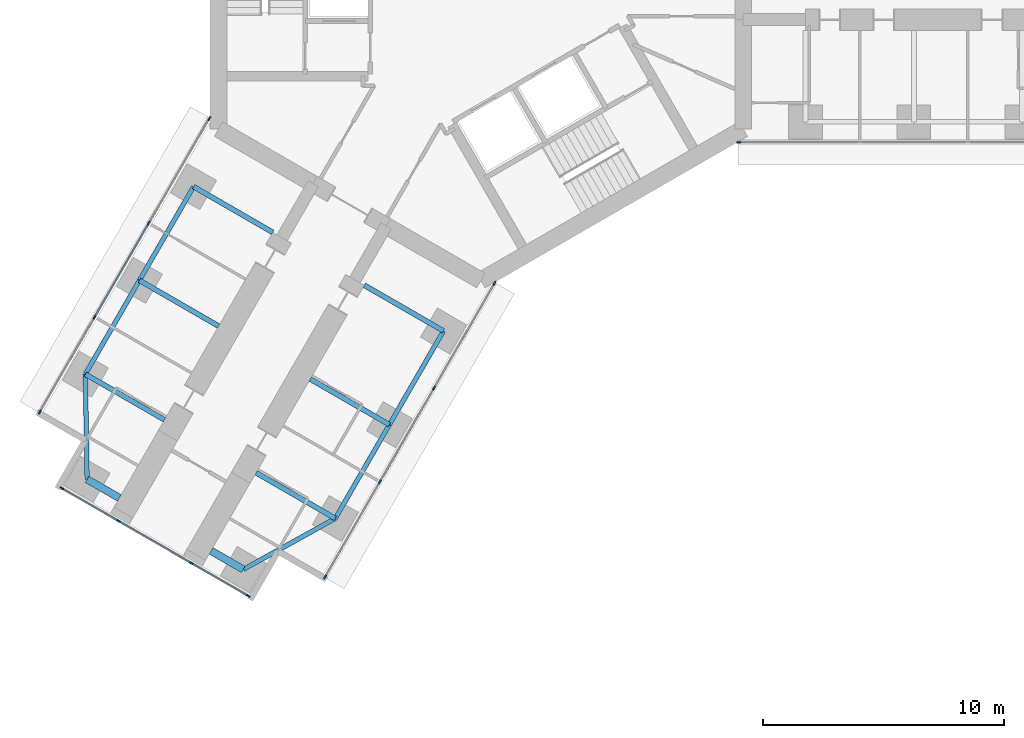
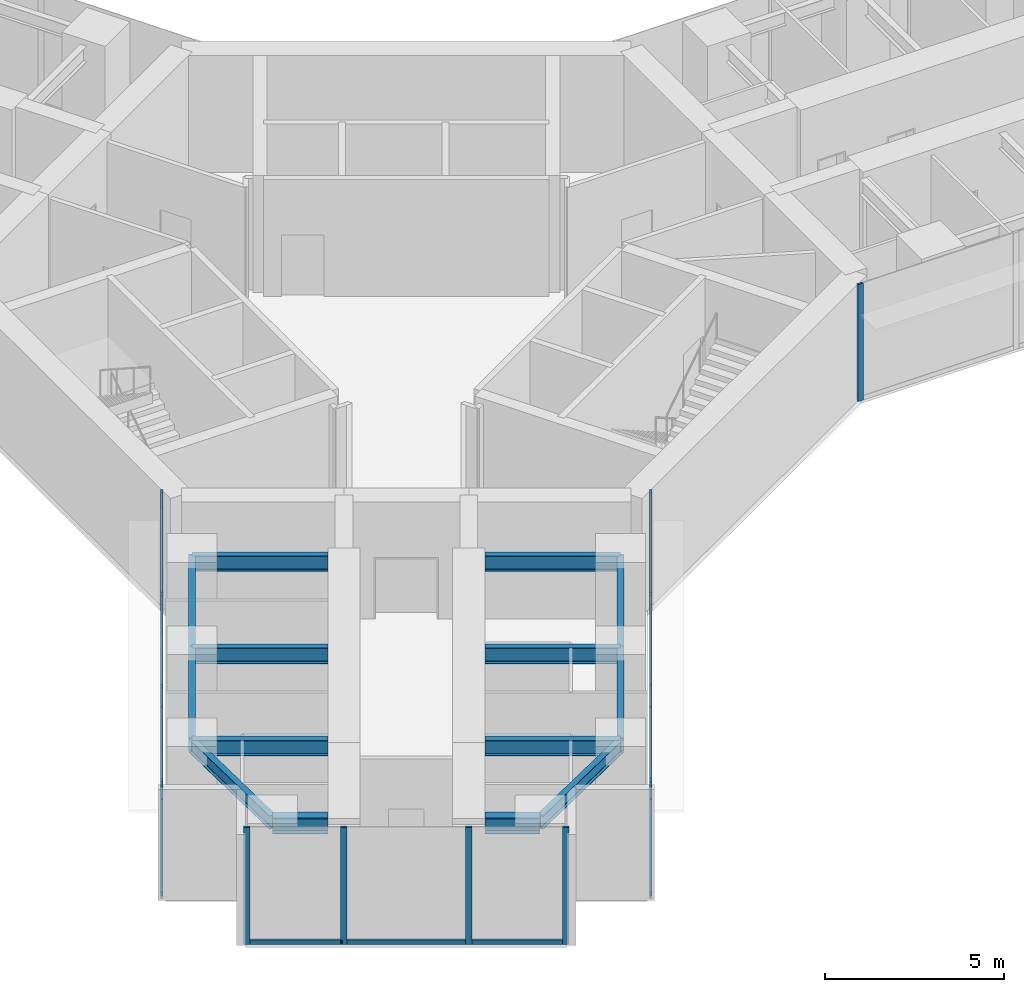
# One storey, part 2 of 25: 22 members, 14 beams, 4 elements without a shape of their own.
"""IFC4 building model written with IfcOpenShell, lengths in metres."""

from ifc_helpers import new_model, si_unit, direction, frame, origin, origin_2d, place, context, subcontext, project, spatial, rectangle, i_section, extrude, material, material_profile, profile_set, type_object, element, aggregate, save


model = new_model("IFC4")

# Units and contexts
model_context = context("Model", 3, precision=1e-05, world=origin(), true_north=direction((0.0, 1.0)))
body_context = subcontext(model_context, "Body", "Model", "MODEL_VIEW")
ifc_project = project(units=[si_unit("LENGTHUNIT", "METRE"), si_unit("AREAUNIT", "SQUARE_METRE"), si_unit("VOLUMEUNIT", "CUBIC_METRE"), si_unit("PLANEANGLEUNIT", "RADIAN"), si_unit("MASSUNIT", "GRAM", prefix="KILO")], contexts=[model_context])

# Site, building, storey
site_placement = place(None, origin())
site = spatial("IfcSite", under=ifc_project, at=site_placement, CompositionType="ELEMENT")
building_placement = place(site_placement, origin())
building = spatial("IfcBuilding", under=site, at=building_placement, Name="Upepo Twin Towers", CompositionType="ELEMENT")
storey_placement = place(building_placement, frame((0.0, 0.0, 80.5)))
storey = spatial("IfcBuildingStorey", under=building, at=storey_placement, Name="L19", CompositionType="ELEMENT", Elevation=80.5)

# Beams
ifc_material_1 = material(Name="Steel S355", Category="steel")
ifc_material_profile_1 = material_profile(ifc_material_1, i_section(OverallWidth=0.1904296875, OverallDepth=0.45703125, WebThickness=0.009033203125, FlangeThickness=0.014404296875, FilletRadius=0.01025390625, at=origin_2d()), Name="UB 457x191x74")
ifc_profile_set_1 = profile_set([ifc_material_profile_1], Name="Steel S355")
beam_type_1 = type_object("IfcBeamType", Name="Beam UB 457x191x74", PredefinedType="BEAM", material=ifc_profile_set_1)
beam_1_placement = place(storey_placement, frame((-1.553955078125, -14.69140625, 3.571533203125), z_axis=(-0.500013631625, -0.866017533419, 0.0), x_axis=(0.866017533419, -0.500013631625, 0.0)))
element("IfcBeam", 1, at=beam_1_placement, inside=storey, type_object=beam_type_1, Name="T1 edge beam CL 13.5-18.0", PredefinedType="BEAM", context=body_context, shape_type="SweptSolid", body=[
    extrude(i_section(OverallWidth=0.1904296875, OverallDepth=0.45703125, WebThickness=0.009033203125, FlangeThickness=0.014404296875, FilletRadius=0.01025390625, at=origin_2d()), origin(), (0.0, 0.0, 1.0), 4.499755859375),
])
beam_2_placement = place(storey_placement, frame((-3.803955078125, -18.58837890625, 3.571533203125), z_axis=(-0.499990139034, -0.866031096941, 0.0), x_axis=(0.866031096941, -0.499990139034, 0.0)))
element("IfcBeam", 2, at=beam_2_placement, inside=storey, type_object=beam_type_1, Name="T1 edge beam CL 18.0-22.5", PredefinedType="BEAM", context=body_context, shape_type="SweptSolid", body=[
    extrude(i_section(OverallWidth=0.1904296875, OverallDepth=0.45703125, WebThickness=0.009033203125, FlangeThickness=0.014404296875, FilletRadius=0.01025390625, at=origin_2d()), origin(), (0.0, 0.0, 1.0), 4.5),
])
beam_3_placement = place(storey_placement, frame((-6.053955078125, -22.485595703125, 3.571533203125), z_axis=(-0.874312600038, -0.485363242752, 0.0), x_axis=(0.485363242752, -0.874312600038, 0.0)))
element("IfcBeam", 3, at=beam_3_placement, inside=storey, type_object=beam_type_1, Name="T1 nose edge beam CL", PredefinedType="BEAM", context=body_context, shape_type="SweptSolid", body=[
    extrude(i_section(OverallWidth=0.1904296875, OverallDepth=0.45703125, WebThickness=0.009033203125, FlangeThickness=0.014404296875, FilletRadius=0.01025390625, at=origin_2d()), origin(), (0.0, 0.0, 1.0), 4.373046875),
])
beam_4_placement = place(storey_placement, frame((-11.946044921875, -8.69140625, 3.571533203125), z_axis=(-0.500013631625, -0.866017533419, 0.0), x_axis=(0.866017533419, -0.500013631625, 0.0)))
element("IfcBeam", 4, at=beam_4_placement, inside=storey, type_object=beam_type_1, Name="T1 edge beam CR 13.5-18.0", PredefinedType="BEAM", context=body_context, shape_type="SweptSolid", body=[
    extrude(i_section(OverallWidth=0.1904296875, OverallDepth=0.45703125, WebThickness=0.009033203125, FlangeThickness=0.014404296875, FilletRadius=0.01025390625, at=origin_2d()), origin(), (0.0, 0.0, 1.0), 4.499755859375),
])
beam_5_placement = place(storey_placement, frame((-14.196044921875, -12.58837890625, 3.571533203125), z_axis=(-0.499990139034, -0.866031096941, 0.0), x_axis=(0.866031096941, -0.499990139034, 0.0)))
element("IfcBeam", 5, at=beam_5_placement, inside=storey, type_object=beam_type_1, Name="T1 edge beam CR 18.0-22.5", PredefinedType="BEAM", context=body_context, shape_type="SweptSolid", body=[
    extrude(i_section(OverallWidth=0.1904296875, OverallDepth=0.45703125, WebThickness=0.009033203125, FlangeThickness=0.014404296875, FilletRadius=0.01025390625, at=origin_2d()), origin(), (0.0, 0.0, 1.0), 4.5),
])
beam_6_placement = place(storey_placement, frame((-16.446044921875, -16.485595703125, 3.571533203125), z_axis=(0.016803880528, -0.999858804832, 0.0), x_axis=(0.999858804832, 0.016803880528, 0.0)))
element("IfcBeam", 6, at=beam_6_placement, inside=storey, type_object=beam_type_1, Name="T1 nose edge beam CR", PredefinedType="BEAM", context=body_context, shape_type="SweptSolid", body=[
    extrude(i_section(OverallWidth=0.1904296875, OverallDepth=0.45703125, WebThickness=0.009033203125, FlangeThickness=0.014404296875, FilletRadius=0.01025390625, at=origin_2d()), origin(), (0.0, 0.0, 1.0), 4.373291015625),
])
ifc_material_2 = material(Name="Steel S355", Category="steel")
ifc_material_profile_2 = material_profile(ifc_material_2, i_section(OverallWidth=0.209228515625, OverallDepth=0.533203125, WebThickness=0.010009765625, FlangeThickness=0.015625, FilletRadius=0.0126953125, at=origin_2d()), Name="UB 533x210x92")
ifc_profile_set_2 = profile_set([ifc_material_profile_2], Name="Steel S355")
beam_type_2 = type_object("IfcBeamType", Name="Beam UB 533x210x92", PredefinedType="BEAM", material=ifc_profile_set_2)
beam_7_placement = place(storey_placement, frame((-1.553955078125, -14.69140625, 3.533447265625), z_axis=(-0.866000483506, 0.500043160704, 0.0), x_axis=(-0.500043160704, -0.866000483506, 0.0)))
element("IfcBeam", 7, at=beam_7_placement, inside=storey, type_object=beam_type_2, Name="T1 girder CL at 13.5", PredefinedType="BEAM", context=body_context, shape_type="SweptSolid", body=[
    extrude(i_section(OverallWidth=0.209228515625, OverallDepth=0.533203125, WebThickness=0.010009765625, FlangeThickness=0.015625, FilletRadius=0.0126953125, at=origin_2d()), origin(), (0.0, 0.0, 1.0), 3.800048828125),
])
for number, where, z_axis, x_axis, name in (
    (8, (-3.803955078125, -18.58837890625, 3.533447265625), (-0.866028304915, 0.499994975061, 0.0), (-0.499994975061, -0.866028304915, 0.0), "T1 girder CL at 18.0"),
    (9, (-6.053955078125, -22.485595703125, 3.533447265625), (-0.866028304915, 0.499994975061, 0.0), (-0.499994975061, -0.866028304915, 0.0), "T1 girder CL at 22.5"),
    (10, (-11.946044921875, -8.69140625, 3.533447265625), (0.866028304915, -0.499994975061, 0.0), (0.499994975061, 0.866028304915, 0.0), "T1 girder CR at 13.5"),
):
    element("IfcBeam", number, at=place(storey_placement, frame(where, z_axis=z_axis, x_axis=x_axis)), inside=storey, type_object=beam_type_2, Name=name, PredefinedType="BEAM", context=body_context, shape_type="SweptSolid", body=[
        extrude(i_section(OverallWidth=0.209228515625, OverallDepth=0.533203125, WebThickness=0.010009765625, FlangeThickness=0.015625, FilletRadius=0.0126953125, at=origin_2d()), origin(), (0.0, 0.0, 1.0), 3.7998046875),
    ])
beam_8_placement = place(storey_placement, frame((-14.196044921875, -12.58837890625, 3.533447265625), z_axis=(0.866000483506, -0.500043160704, 0.0), x_axis=(0.500043160704, 0.866000483506, 0.0)))
element("IfcBeam", 11, at=beam_8_placement, inside=storey, type_object=beam_type_2, Name="T1 girder CR at 18.0", PredefinedType="BEAM", context=body_context, shape_type="SweptSolid", body=[
    extrude(i_section(OverallWidth=0.209228515625, OverallDepth=0.533203125, WebThickness=0.010009765625, FlangeThickness=0.015625, FilletRadius=0.0126953125, at=origin_2d()), origin(), (0.0, 0.0, 1.0), 3.800048828125),
])
beam_9_placement = place(storey_placement, frame((-16.446044921875, -16.485595703125, 3.533447265625), z_axis=(0.866028304915, -0.499994975061, 0.0), x_axis=(0.499994975061, 0.866028304915, 0.0)))
element("IfcBeam", 12, at=beam_9_placement, inside=storey, type_object=beam_type_2, Name="T1 girder CR at 22.5", PredefinedType="BEAM", context=body_context, shape_type="SweptSolid", body=[
    extrude(i_section(OverallWidth=0.209228515625, OverallDepth=0.533203125, WebThickness=0.010009765625, FlangeThickness=0.015625, FilletRadius=0.0126953125, at=origin_2d()), origin(), (0.0, 0.0, 1.0), 3.7998046875),
])
ifc_material_3 = material(Name="Steel S355", Category="steel")
ifc_material_profile_3 = material_profile(ifc_material_3, i_section(OverallWidth=0.31201171875, OverallDepth=0.54345703125, WebThickness=0.0126953125, FlangeThickness=0.020263671875, FilletRadius=0.0126953125, at=origin_2d()), Name="UB 533x312x150")
ifc_profile_set_3 = profile_set([ifc_material_profile_3], Name="Steel S355")
beam_type_3 = type_object("IfcBeamType", Name="Beam UB 533x312x150", PredefinedType="BEAM", material=ifc_profile_set_3)
for number, where, z_axis, x_axis, name in (
    (13, (-9.87744140625, -24.608154296875, 3.5283203125), (-0.866043940782, 0.499967891604, 0.0), (-0.499967891604, -0.866043940782, 0.0), "T1 nose beam CL"),
    (14, (-16.37255859375, -20.858154296875, 3.5283203125), (0.866043940782, -0.499967891604, 0.0), (0.499967891604, 0.866043940782, 0.0), "T1 nose beam CR"),
):
    element("IfcBeam", number, at=place(storey_placement, frame(where, z_axis=z_axis, x_axis=x_axis)), inside=storey, type_object=beam_type_3, Name=name, PredefinedType="BEAM", context=body_context, shape_type="SweptSolid", body=[
        extrude(i_section(OverallWidth=0.31201171875, OverallDepth=0.54345703125, WebThickness=0.0126953125, FlangeThickness=0.020263671875, FilletRadius=0.0126953125, at=origin_2d()), origin(), (0.0, 0.0, 1.0), 1.5498046875),
    ])

# Curtain wall, member
ifc_material_4 = material(Name="Aluminium and fritted glass", Category="aluminium")
curtain_wall_type = type_object("IfcCurtainWallType", Name="Tower curtain wall TW1, fritted glass", PredefinedType="NOTDEFINED", material=ifc_material_4)
curtain_wall_1_placement = place(storey_placement, origin())
curtain_wall_1 = element("IfcCurtainWall", 15, at=curtain_wall_1_placement, inside=storey, type_object=curtain_wall_type, Name="T1 L19 wing A flank R curtain wall", PredefinedType="NOTDEFINED")
ifc_material_5 = material(Name="Aluminium mullion", Category="aluminium")
ifc_material_profile_4 = material_profile(ifc_material_5, rectangle(XDim=0.06494140625, YDim=0.179931640625, at=origin_2d()), Name="MULLION 65x180")
ifc_profile_set_4 = profile_set([ifc_material_profile_4], Name="Aluminium mullion")
member_type_1 = type_object("IfcMemberType", Name="Mullion 65x180 TW1", PredefinedType="MULLION", material=ifc_profile_set_4)
member_1_placement = place(storey_placement, frame((10.7197265625, -6.85009765625, 0.0), z_axis=(0.0, 0.0, 1.0), x_axis=(0.0, -1.0, 0.0)))
member_1 = element("IfcMember", 16, at=member_1_placement, type_object=member_type_1, Name="T1 L19 wing A flank R curtain wall mullion 4", PredefinedType="MULLION", context=body_context, shape_type="SweptSolid", body=[
    extrude(rectangle(XDim=0.06494140625, YDim=0.179931640625, at=origin_2d()), origin(), (0.0, 0.0, 1.0), 4.0),
])
aggregate(curtain_wall_1, [member_1])

# Curtain wall, members
curtain_wall_2_placement = place(storey_placement, origin())
curtain_wall_2 = element("IfcCurtainWall", 17, at=curtain_wall_2_placement, inside=storey, type_object=curtain_wall_type, Name="T1 L19 wing C flank L curtain wall", PredefinedType="NOTDEFINED")
member_2_placement = place(storey_placement, frame((0.572509765625, -12.70849609375, 0.0), z_axis=(0.0, 0.0, 1.0), x_axis=(0.866025389682, -0.500000024426, 0.0)))
member_2 = element("IfcMember", 18, at=member_2_placement, type_object=member_type_1, Name="T1 L19 wing C flank L curtain wall mullion 1", PredefinedType="MULLION", context=body_context, shape_type="SweptSolid", body=[
    extrude(rectangle(XDim=0.06494140625, YDim=0.179931640625, at=origin_2d()), origin(), (0.0, 0.0, 1.0), 4.0),
])
member_3_placement = place(storey_placement, frame((-1.942626953125, -17.06494140625, 0.0), z_axis=(0.0, 0.0, 1.0), x_axis=(0.866025389682, -0.500000024426, 0.0)))
member_3 = element("IfcMember", 19, at=member_3_placement, type_object=member_type_1, Name="T1 L19 wing C flank L curtain wall mullion 2", PredefinedType="MULLION", context=body_context, shape_type="SweptSolid", body=[
    extrude(rectangle(XDim=0.06494140625, YDim=0.179931640625, at=origin_2d()), origin(), (0.0, 0.0, 1.0), 4.0),
])
member_4_placement = place(storey_placement, frame((-4.192626953125, -20.9619140625, 0.0), z_axis=(0.0, 0.0, 1.0), x_axis=(0.866025389682, -0.500000024426, 0.0)))
member_4 = element("IfcMember", 20, at=member_4_placement, type_object=member_type_1, Name="T1 L19 wing C flank L curtain wall mullion 3", PredefinedType="MULLION", context=body_context, shape_type="SweptSolid", body=[
    extrude(rectangle(XDim=0.06494140625, YDim=0.179931640625, at=origin_2d()), origin(), (0.0, 0.0, 1.0), 4.0),
])
member_5_placement = place(storey_placement, frame((-6.4765625, -24.91748046875, 0.0), z_axis=(0.0, 0.0, 1.0), x_axis=(0.866025389682, -0.500000024426, 0.0)))
member_5 = element("IfcMember", 21, at=member_5_placement, type_object=member_type_1, Name="T1 L19 wing C flank L curtain wall mullion 4", PredefinedType="MULLION", context=body_context, shape_type="SweptSolid", body=[
    extrude(rectangle(XDim=0.06494140625, YDim=0.179931640625, at=origin_2d()), origin(), (0.0, 0.0, 1.0), 4.0),
])

curtain_wall_3_placement = place(storey_placement, origin())
curtain_wall_3 = element("IfcCurtainWall", 22, at=curtain_wall_3_placement, inside=storey, type_object=curtain_wall_type, Name="T1 L19 wing C flank R curtain wall", PredefinedType="NOTDEFINED")
member_6_placement = place(storey_placement, frame((-18.341064453125, -18.067626953125, 0.0), z_axis=(0.0, 0.0, 1.0), x_axis=(-0.866025389682, 0.500000024426, 0.0)))
member_6 = element("IfcMember", 23, at=member_6_placement, type_object=member_type_1, Name="T1 L19 wing C flank R curtain wall mullion 1", PredefinedType="MULLION", context=body_context, shape_type="SweptSolid", body=[
    extrude(rectangle(XDim=0.06494140625, YDim=0.179931640625, at=origin_2d()), origin(), (0.0, 0.0, 1.0), 4.0),
])
member_7_placement = place(storey_placement, frame((-16.057373046875, -14.112060546875, 0.0), z_axis=(0.0, 0.0, 1.0), x_axis=(-0.866025389682, 0.500000024426, 0.0)))
member_7 = element("IfcMember", 24, at=member_7_placement, type_object=member_type_1, Name="T1 L19 wing C flank R curtain wall mullion 2", PredefinedType="MULLION", context=body_context, shape_type="SweptSolid", body=[
    extrude(rectangle(XDim=0.06494140625, YDim=0.179931640625, at=origin_2d()), origin(), (0.0, 0.0, 1.0), 4.0),
])
member_8_placement = place(storey_placement, frame((-13.807373046875, -10.21484375, 0.0), z_axis=(0.0, 0.0, 1.0), x_axis=(-0.866025389682, 0.500000024426, 0.0)))
member_8 = element("IfcMember", 25, at=member_8_placement, type_object=member_type_1, Name="T1 L19 wing C flank R curtain wall mullion 3", PredefinedType="MULLION", context=body_context, shape_type="SweptSolid", body=[
    extrude(rectangle(XDim=0.06494140625, YDim=0.179931640625, at=origin_2d()), origin(), (0.0, 0.0, 1.0), 4.0),
])
member_9_placement = place(storey_placement, frame((-11.2919921875, -5.8583984375, 0.0), z_axis=(0.0, 0.0, 1.0), x_axis=(-0.866025389682, 0.500000024426, 0.0)))
member_9 = element("IfcMember", 26, at=member_9_placement, type_object=member_type_1, Name="T1 L19 wing C flank R curtain wall mullion 4", PredefinedType="MULLION", context=body_context, shape_type="SweptSolid", body=[
    extrude(rectangle(XDim=0.06494140625, YDim=0.179931640625, at=origin_2d()), origin(), (0.0, 0.0, 1.0), 4.0),
])

curtain_wall_4_placement = place(storey_placement, origin())
curtain_wall_4 = element("IfcCurtainWall", 27, at=curtain_wall_4_placement, inside=storey, type_object=curtain_wall_type, Name="T1 L19 wing C nose curtain wall", PredefinedType="NOTDEFINED")
member_10_placement = place(storey_placement, frame((-17.4189453125, -21.235595703125, 0.0), z_axis=(0.0, 0.0, 1.0), x_axis=(0.500000030502, 0.866025386174, 0.0)))
member_10 = element("IfcMember", 28, at=member_10_placement, type_object=member_type_1, Name="T1 L19 wing C nose curtain wall mullion 1", PredefinedType="MULLION", context=body_context, shape_type="SweptSolid", body=[
    extrude(rectangle(XDim=0.06494140625, YDim=0.179931640625, at=origin_2d()), origin(), (0.0, 0.0, 1.0), 4.0),
])
member_11_placement = place(storey_placement, frame((-15.0654296875, -22.59423828125, 0.0), z_axis=(0.0, 0.0, 1.0), x_axis=(0.500000030502, 0.866025386174, 0.0)))
member_11 = element("IfcMember", 29, at=member_11_placement, type_object=member_type_1, Name="T1 L19 wing C nose curtain wall mullion 2", PredefinedType="MULLION", context=body_context, shape_type="SweptSolid", body=[
    extrude(rectangle(XDim=0.06494140625, YDim=0.179931640625, at=origin_2d()), origin(), (0.0, 0.0, 1.0), 4.0),
])
member_12_placement = place(storey_placement, frame((-12.034423828125, -24.34423828125, 0.0), z_axis=(0.0, 0.0, 1.0), x_axis=(0.500000030502, 0.866025386174, 0.0)))
member_12 = element("IfcMember", 30, at=member_12_placement, type_object=member_type_1, Name="T1 L19 wing C nose curtain wall mullion 3", PredefinedType="MULLION", context=body_context, shape_type="SweptSolid", body=[
    extrude(rectangle(XDim=0.06494140625, YDim=0.179931640625, at=origin_2d()), origin(), (0.0, 0.0, 1.0), 4.0),
])
member_13_placement = place(storey_placement, frame((-9.68115234375, -25.703125, 0.0), z_axis=(0.0, 0.0, 1.0), x_axis=(0.500000030502, 0.866025386174, 0.0)))
member_13 = element("IfcMember", 31, at=member_13_placement, type_object=member_type_1, Name="T1 L19 wing C nose curtain wall mullion 4", PredefinedType="MULLION", context=body_context, shape_type="SweptSolid", body=[
    extrude(rectangle(XDim=0.06494140625, YDim=0.179931640625, at=origin_2d()), origin(), (0.0, 0.0, 1.0), 4.0),
])

# Member
ifc_material_6 = material(Name="Aluminium transom", Category="aluminium")
ifc_material_profile_5 = material_profile(ifc_material_6, rectangle(XDim=0.06494140625, YDim=0.14990234375, at=origin_2d()), Name="TRANSOM 65x150")
ifc_profile_set_5 = profile_set([ifc_material_profile_5], Name="Aluminium transom")
member_type_2 = type_object("IfcMemberType", Name="Transom 65x150 TW1", PredefinedType="USERDEFINED", material=ifc_profile_set_5)
member_14_placement = place(storey_placement, frame((0.55615234375, -12.736572265625, 0.074951171875), z_axis=(-0.499983492876, -0.866034933967, 0.0), x_axis=(0.866034933967, -0.499983492876, 0.0)))
member_14 = element("IfcMember", 32, at=member_14_placement, type_object=member_type_2, Name="T1 L19 wing C flank L curtain wall transom 1", ObjectType="TRANSOM", PredefinedType="USERDEFINED", context=body_context, shape_type="SweptSolid", body=[
    extrude(rectangle(XDim=0.06494140625, YDim=0.14990234375, at=origin_2d()), origin(), (0.0, 0.0, 1.0), 4.965576171875),
])

member_15_placement = place(storey_placement, frame((-1.958984375, -17.093017578125, 0.074951171875), z_axis=(-0.500005184116, -0.866022410713, 0.0), x_axis=(0.866022410713, -0.500005184116, 0.0)))
member_15 = element("IfcMember", 33, at=member_15_placement, type_object=member_type_2, Name="T1 L19 wing C flank L curtain wall transom 2", ObjectType="TRANSOM", PredefinedType="USERDEFINED", context=body_context, shape_type="SweptSolid", body=[
    extrude(rectangle(XDim=0.06494140625, YDim=0.14990234375, at=origin_2d()), origin(), (0.0, 0.0, 1.0), 4.43505859375),
])

member_16_placement = place(storey_placement, frame((-4.208984375, -20.990234375, 0.074951171875), z_axis=(-0.500005646842, -0.866022143554, 0.0), x_axis=(0.866022143554, -0.500005646842, 0.0)))
member_16 = element("IfcMember", 34, at=member_16_placement, type_object=member_type_2, Name="T1 L19 wing C flank L curtain wall transom 3", ObjectType="TRANSOM", PredefinedType="USERDEFINED", context=body_context, shape_type="SweptSolid", body=[
    extrude(rectangle(XDim=0.06494140625, YDim=0.14990234375, at=origin_2d()), origin(), (0.0, 0.0, 1.0), 4.50244140625),
])

aggregate(curtain_wall_2, [member_2, member_3, member_4, member_5, member_14, member_15, member_16])

member_17_placement = place(storey_placement, frame((-18.32470703125, -18.03955078125, 0.074951171875), z_axis=(0.499982167615, 0.866035699072, 0.0), x_axis=(-0.866035699072, 0.499982167615, 0.0)))
member_17 = element("IfcMember", 35, at=member_17_placement, type_object=member_type_2, Name="T1 L19 wing C flank R curtain wall transom 1", ObjectType="TRANSOM", PredefinedType="USERDEFINED", context=body_context, shape_type="SweptSolid", body=[
    extrude(rectangle(XDim=0.06494140625, YDim=0.14990234375, at=origin_2d()), origin(), (0.0, 0.0, 1.0), 4.502685546875),
])

member_18_placement = place(storey_placement, frame((-16.041015625, -14.083984375, 0.074951171875), z_axis=(0.500005184116, 0.866022410713, 0.0), x_axis=(-0.866022410713, 0.500005184116, 0.0)))
member_18 = element("IfcMember", 36, at=member_18_placement, type_object=member_type_2, Name="T1 L19 wing C flank R curtain wall transom 2", ObjectType="TRANSOM", PredefinedType="USERDEFINED", context=body_context, shape_type="SweptSolid", body=[
    extrude(rectangle(XDim=0.06494140625, YDim=0.14990234375, at=origin_2d()), origin(), (0.0, 0.0, 1.0), 4.43505859375),
])

member_19_placement = place(storey_placement, frame((-13.791015625, -10.186767578125, 0.074951171875), z_axis=(0.50000478328, 0.866022642139, 0.0), x_axis=(-0.866022642139, 0.50000478328, 0.0)))
member_19 = element("IfcMember", 37, at=member_19_placement, type_object=member_type_2, Name="T1 L19 wing C flank R curtain wall transom 3", ObjectType="TRANSOM", PredefinedType="USERDEFINED", context=body_context, shape_type="SweptSolid", body=[
    extrude(rectangle(XDim=0.06494140625, YDim=0.14990234375, at=origin_2d()), origin(), (0.0, 0.0, 1.0), 4.96533203125),
])

aggregate(curtain_wall_3, [member_6, member_7, member_8, member_9, member_17, member_18, member_19])

member_20_placement = place(storey_placement, frame((-17.390869140625, -21.251708984375, 0.074951171875), z_axis=(0.865997053448, -0.500049101008, 0.0), x_axis=(0.500049101008, 0.865997053448, 0.0)))
member_20 = element("IfcMember", 38, at=member_20_placement, type_object=member_type_2, Name="T1 L19 wing C nose curtain wall transom 1", ObjectType="TRANSOM", PredefinedType="USERDEFINED", context=body_context, shape_type="SweptSolid", body=[
    extrude(rectangle(XDim=0.06494140625, YDim=0.14990234375, at=origin_2d()), origin(), (0.0, 0.0, 1.0), 2.652587890625),
])

member_21_placement = place(storey_placement, frame((-15.037353515625, -22.610595703125, 0.074951171875), z_axis=(0.866025804792, -0.499999305434, 0.0), x_axis=(0.499999305434, 0.866025804792, 0.0)))
member_21 = element("IfcMember", 39, at=member_21_placement, type_object=member_type_2, Name="T1 L19 wing C nose curtain wall transom 2", ObjectType="TRANSOM", PredefinedType="USERDEFINED", context=body_context, shape_type="SweptSolid", body=[
    extrude(rectangle(XDim=0.06494140625, YDim=0.14990234375, at=origin_2d()), origin(), (0.0, 0.0, 1.0), 3.43505859375),
])

member_22_placement = place(storey_placement, frame((-12.00634765625, -24.360595703125, 0.074951171875), z_axis=(0.866036909293, -0.499980071345, 0.0), x_axis=(0.499980071345, 0.866036909293, 0.0)))
member_22 = element("IfcMember", 40, at=member_22_placement, type_object=member_type_2, Name="T1 L19 wing C nose curtain wall transom 3", ObjectType="TRANSOM", PredefinedType="USERDEFINED", context=body_context, shape_type="SweptSolid", body=[
    extrude(rectangle(XDim=0.06494140625, YDim=0.14990234375, at=origin_2d()), origin(), (0.0, 0.0, 1.0), 2.65234375),
])

aggregate(curtain_wall_4, [member_10, member_11, member_12, member_13, member_20, member_21, member_22])

save(model, "model.ifc")
